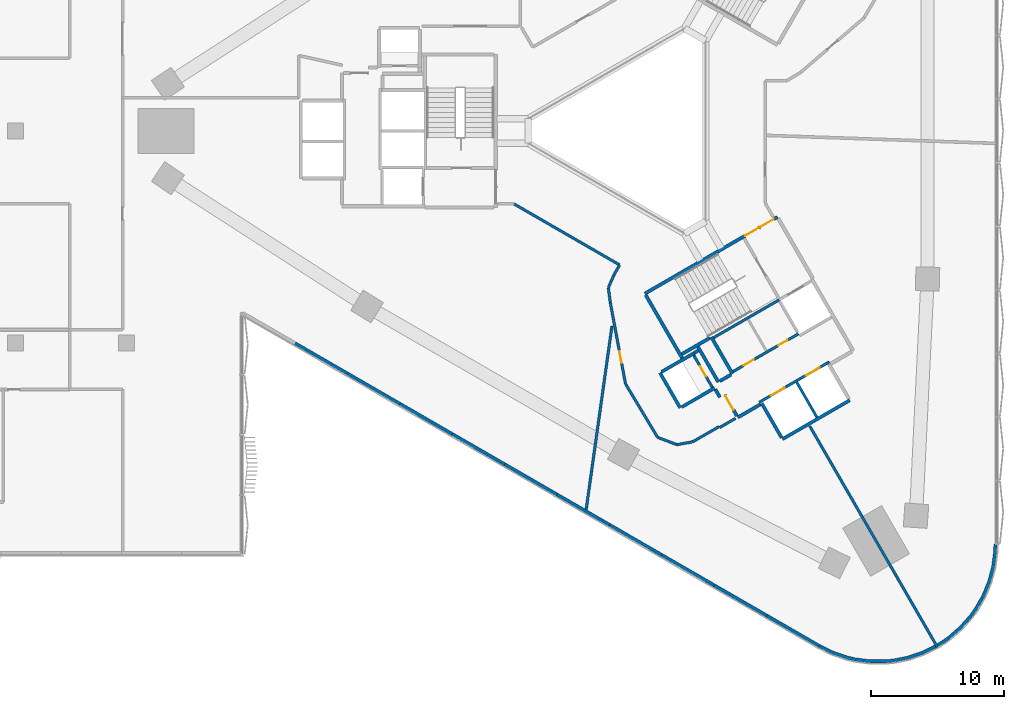
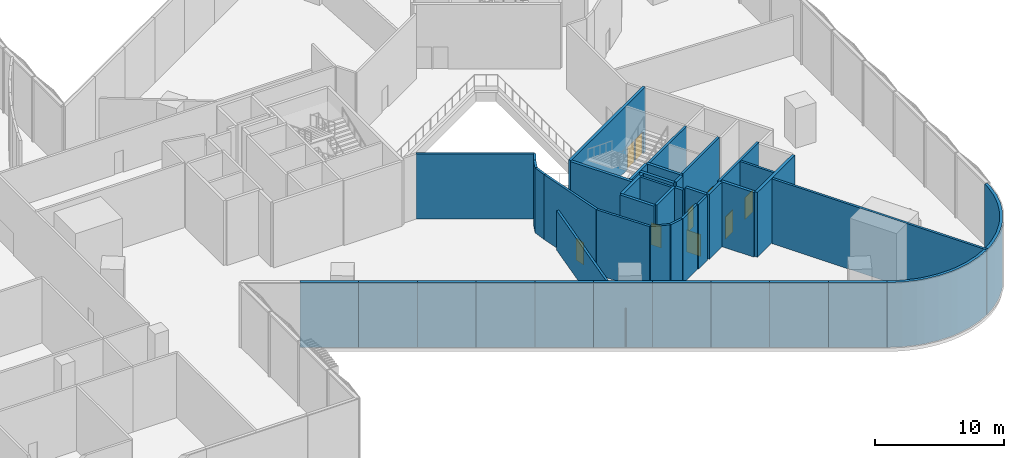
# One storey, part 14 of 32: 43 walls, 9 doors, 9 openings.
"""IFC4 building model written with IfcOpenShell, lengths in metres."""

from ifc_helpers import new_model, si_unit, direction, frame, frame_2d, origin, place, context, subcontext, project, spatial, polyline, rectangle, outline, extrude, material, layer, layer_set, type_object, element, fill, save


model = new_model("IFC4")

# Units and contexts
model_context = context("Model", 3, precision=1e-05, world=origin(), true_north=direction((0.0, 1.0)))
body_context = subcontext(model_context, "Body", "Model", "MODEL_VIEW")
ifc_project = project(units=[si_unit("LENGTHUNIT", "METRE"), si_unit("AREAUNIT", "SQUARE_METRE"), si_unit("VOLUMEUNIT", "CUBIC_METRE"), si_unit("PLANEANGLEUNIT", "RADIAN"), si_unit("MASSUNIT", "GRAM", prefix="KILO")], contexts=[model_context])

# Site, building, storey
site_placement = place(None, origin())
site = spatial("IfcSite", under=ifc_project, at=site_placement, CompositionType="ELEMENT")
building_placement = place(site_placement, origin())
building = spatial("IfcBuilding", under=site, at=building_placement, Name="Tamra Quay Hotel Tower", CompositionType="ELEMENT")
storey_placement = place(building_placement, frame((0.0, 0.0, 7.5)))
storey = spatial("IfcBuildingStorey", under=building, at=storey_placement, Name="L01", CompositionType="ELEMENT", Elevation=7.5)

# Wall, openings, doors
ifc_material_1 = material(Name="Concrete M70", Category="concrete")
ifc_layer_1 = layer(ifc_material_1, 0.199951171875)
ifc_layer_set_1 = layer_set([ifc_layer_1], Name="Concrete M70 core wall 200")
wall_type_1 = type_object("IfcWallType", Name="Concrete M70 core wall 200", PredefinedType="SHEAR", material=ifc_layer_set_1)
wall_1_placement = place(storey_placement, frame((9.052490234375, -20.479736328125, 0.0), z_axis=(0.0, 0.0, 1.0), x_axis=(0.866030299012, 0.499991521122, 0.0)))
wall_1 = element("IfcWall", 1, at=wall_1_placement, inside=storey, type_object=wall_type_1, Name="CW2", PredefinedType="SHEAR", context=body_context, shape_type="SweptSolid", body=[
    extrude(rectangle(XDim=6.10009765625, YDim=0.199951171875, at=frame_2d((3.050048828125, 0.0))), origin(), (0.0, 0.0, 1.0), 6.14990234375),
])
opening_1_placement = place(wall_1_placement, frame((1.0, 0.0, 0.0)))
opening_1 = element("IfcOpeningElement", 2, at=opening_1_placement, cuts=wall_1, Name="Opening LD", PredefinedType="OPENING", context=body_context, shape_type="SweptSolid", body=[
    extrude(rectangle(XDim=1.199951171875, YDim=2.10009765625, at=frame_2d((0.60009765625, 1.050048828125))), frame((0.0, 0.10986328125, 0.0), z_axis=(0.0, -1.0, 0.0), x_axis=(1.0, 0.0, 0.0)), (0.0, 0.0, 1.0), 0.219970703125),
])
opening_2_placement = place(wall_1_placement, frame((4.05029296875, 0.0, 0.0)))
opening_2 = element("IfcOpeningElement", 3, at=opening_2_placement, cuts=wall_1, Name="Opening LD", PredefinedType="OPENING", context=body_context, shape_type="SweptSolid", body=[
    extrude(rectangle(XDim=1.199951171875, YDim=2.10009765625, at=frame_2d((0.60009765625, 1.050048828125))), frame((0.0, 0.10986328125, 0.0), z_axis=(0.0, -1.0, 0.0), x_axis=(1.0, 0.0, 0.0)), (0.0, 0.0, 1.0), 0.219970703125),
])
ifc_material_2 = material(Name="Landing door LD 1200 double door sliding")
door_type_1 = type_object("IfcDoorType", Name="Landing door LD 1200 double door sliding", OperationType="DOUBLE_DOOR_SLIDING", PredefinedType="DOOR", material=ifc_material_2)
door_1_placement = place(opening_1_placement, origin())
door_1 = element("IfcDoor", 4, at=door_1_placement, inside=storey, type_object=door_type_1, Name="LD", OperationType="DOUBLE_DOOR_SLIDING", OverallHeight=2.10009765625, OverallWidth=1.199951171875, PredefinedType="DOOR", context=body_context, shape_type="SweptSolid", body=[
    extrude(rectangle(XDim=1.199951171875, YDim=2.10009765625, at=frame_2d((0.60009765625, 1.050048828125))), frame((0.0, 0.02490234375, 0.0), z_axis=(0.0, -1.0, 0.0), x_axis=(1.0, 0.0, 0.0)), (0.0, 0.0, 1.0), 0.050048828125),
])
fill(opening_1, door_1)
door_2_placement = place(opening_2_placement, origin())
door_2 = element("IfcDoor", 5, at=door_2_placement, inside=storey, type_object=door_type_1, Name="LD", OperationType="DOUBLE_DOOR_SLIDING", OverallHeight=2.10009765625, OverallWidth=1.199951171875, PredefinedType="DOOR", context=body_context, shape_type="SweptSolid", body=[
    extrude(rectangle(XDim=1.199951171875, YDim=2.10009765625, at=frame_2d((0.60009765625, 1.050048828125))), frame((0.0, 0.02490234375, 0.0), z_axis=(0.0, -1.0, 0.0), x_axis=(1.0, 0.0, 0.0)), (0.0, 0.0, 1.0), 0.050048828125),
])
fill(opening_2, door_2)

# Wall
wall_2_placement = place(storey_placement, frame((10.537841796875, -12.751953125, 0.0), z_axis=(0.0, 0.0, 1.0), x_axis=(-0.866038630372, -0.499977090179, 0.0)))
element("IfcWall", 6, at=wall_2_placement, inside=storey, type_object=wall_type_1, Name="CW2", PredefinedType="SHEAR", context=body_context, shape_type="SweptSolid", body=[
    extrude(rectangle(XDim=5.698974609375, YDim=0.199951171875, at=frame_2d((2.849609375, 0.0))), origin(), (0.0, 0.0, 1.0), 6.14990234375),
])

# Wall, openings, doors
wall_3_placement = place(storey_placement, frame((7.0771484375, -18.156005859375, 0.0), z_axis=(0.0, 0.0, 1.0), x_axis=(0.866038630372, 0.499977090179, 0.0)))
wall_3 = element("IfcWall", 7, at=wall_3_placement, inside=storey, type_object=wall_type_1, Name="CW2", PredefinedType="SHEAR", context=body_context, shape_type="SweptSolid", body=[
    extrude(rectangle(XDim=5.698974609375, YDim=0.199951171875, at=frame_2d((2.849609375, 0.0))), origin(), (0.0, 0.0, 1.0), 6.14990234375),
])
opening_3_placement = place(wall_3_placement, frame((0.89892578125, 0.0, 0.0)))
opening_3 = element("IfcOpeningElement", 8, at=opening_3_placement, cuts=wall_3, Name="Opening D2", PredefinedType="OPENING", context=body_context, shape_type="SweptSolid", body=[
    extrude(rectangle(XDim=0.89990234375, YDim=2.10009765625, at=frame_2d((0.449951171875, 1.050048828125))), frame((0.0, 0.10986328125, 0.0), z_axis=(0.0, -1.0, 0.0), x_axis=(1.0, 0.0, 0.0)), (0.0, 0.0, 1.0), 0.219970703125),
])
opening_4_placement = place(wall_3_placement, frame((3.924072265625, 0.0, 0.0)))
opening_4 = element("IfcOpeningElement", 9, at=opening_4_placement, cuts=wall_3, Name="Opening D3", PredefinedType="OPENING", context=body_context, shape_type="SweptSolid", body=[
    extrude(rectangle(XDim=0.800048828125, YDim=2.10009765625, at=frame_2d((0.39990234375, 1.050048828125))), frame((0.0, 0.10986328125, 0.0), z_axis=(0.0, -1.0, 0.0), x_axis=(1.0, 0.0, 0.0)), (0.0, 0.0, 1.0), 0.219970703125),
])
ifc_material_3 = material(Name="Core door D2 900x2100 RH")
door_type_2 = type_object("IfcDoorType", Name="Core door D2 900x2100 RH", OperationType="NOTDEFINED", PredefinedType="DOOR", material=ifc_material_3)
door_3_placement = place(opening_3_placement, origin())
door_3 = element("IfcDoor", 10, at=door_3_placement, inside=storey, type_object=door_type_2, Name="D2", OperationType="SINGLE_SWING_RIGHT", OverallHeight=2.10009765625, OverallWidth=0.89990234375, PredefinedType="DOOR", context=body_context, shape_type="SweptSolid", body=[
    extrude(rectangle(XDim=0.89990234375, YDim=2.10009765625, at=frame_2d((0.449951171875, 1.050048828125))), frame((0.0, 0.02490234375, 0.0), z_axis=(0.0, -1.0, 0.0), x_axis=(1.0, 0.0, 0.0)), (0.0, 0.0, 1.0), 0.050048828125),
])
fill(opening_3, door_3)
ifc_material_4 = material(Name="Core door D3 800x2100 LH")
door_type_3 = type_object("IfcDoorType", Name="Core door D3 800x2100 LH", OperationType="NOTDEFINED", PredefinedType="DOOR", material=ifc_material_4)
door_4_placement = place(opening_4_placement, origin())
door_4 = element("IfcDoor", 11, at=door_4_placement, inside=storey, type_object=door_type_3, Name="D3", OperationType="SINGLE_SWING_LEFT", OverallHeight=2.10009765625, OverallWidth=0.800048828125, PredefinedType="DOOR", context=body_context, shape_type="SweptSolid", body=[
    extrude(rectangle(XDim=0.800048828125, YDim=2.10009765625, at=frame_2d((0.39990234375, 1.050048828125))), frame((0.0, 0.02490234375, 0.0), z_axis=(0.0, -1.0, 0.0), x_axis=(1.0, 0.0, 0.0)), (0.0, 0.0, 1.0), 0.050048828125),
])
fill(opening_4, door_4)

# Wall
wall_4_placement = place(storey_placement, frame((11.87451171875, -18.967041015625, 0.0), z_axis=(0.0, 0.0, 1.0), x_axis=(0.49998131003, -0.866036194175, 0.0)))
element("IfcWall", 12, at=wall_4_placement, inside=storey, type_object=wall_type_1, Name="CW2", PredefinedType="SHEAR", context=body_context, shape_type="SweptSolid", body=[
    extrude(rectangle(XDim=3.0478515625, YDim=0.199951171875, at=frame_2d((1.52392578125, 0.0))), origin(), (0.0, 0.0, 1.0), 6.14990234375),
])

# Wall, opening, door
wall_5_placement = place(storey_placement, frame((5.50341796875, -19.352294921875, 0.0), z_axis=(0.0, 0.0, 1.0), x_axis=(-0.499986818241, 0.866033014143, 0.0)))
wall_5 = element("IfcWall", 13, at=wall_5_placement, inside=storey, type_object=wall_type_1, Name="CW2", PredefinedType="SHEAR", context=body_context, shape_type="SweptSolid", body=[
    extrude(rectangle(XDim=2.7978515625, YDim=0.199951171875, at=frame_2d((1.39892578125, 0.0))), origin(), (0.0, 0.0, 1.0), 6.14990234375),
])
opening_5_placement = place(wall_5_placement, frame((0.948974609375, 0.0, 0.0)))
opening_5 = element("IfcOpeningElement", 14, at=opening_5_placement, cuts=wall_5, Name="Opening D1", PredefinedType="OPENING", context=body_context, shape_type="SweptSolid", body=[
    extrude(rectangle(XDim=0.89990234375, YDim=2.10009765625, at=frame_2d((0.449951171875, 1.050048828125))), frame((0.0, 0.10986328125, 0.0), z_axis=(0.0, -1.0, 0.0), x_axis=(1.0, 0.0, 0.0)), (0.0, 0.0, 1.0), 0.219970703125),
])
ifc_material_5 = material(Name="Core door D1 900x2100 RH")
door_type_4 = type_object("IfcDoorType", Name="Core door D1 900x2100 RH", OperationType="NOTDEFINED", PredefinedType="DOOR", material=ifc_material_5)
door_5_placement = place(opening_5_placement, origin())
door_5 = element("IfcDoor", 15, at=door_5_placement, inside=storey, type_object=door_type_4, Name="D1", OperationType="SINGLE_SWING_RIGHT", OverallHeight=2.10009765625, OverallWidth=0.89990234375, PredefinedType="DOOR", context=body_context, shape_type="SweptSolid", body=[
    extrude(rectangle(XDim=0.89990234375, YDim=2.10009765625, at=frame_2d((0.449951171875, 1.050048828125))), frame((0.0, 0.02490234375, 0.0), z_axis=(0.0, -1.0, 0.0), x_axis=(1.0, 0.0, 0.0)), (0.0, 0.0, 1.0), 0.050048828125),
])
fill(opening_5, door_5)

# Wall, openings, doors
ifc_layer_2 = layer(ifc_material_1, 0.25)
ifc_layer_set_2 = layer_set([ifc_layer_2], Name="Concrete M70 core wall 250")
wall_type_2 = type_object("IfcWallType", Name="Concrete M70 core wall 250", PredefinedType="SHEAR", material=ifc_layer_set_2)
wall_6_placement = place(storey_placement, frame((0.417236328125, -12.27294921875, 0.0), z_axis=(0.0, 0.0, 1.0), x_axis=(0.866021906294, 0.500006057782, 0.0)))
wall_6 = element("IfcWall", 16, at=wall_6_placement, inside=storey, type_object=wall_type_2, Name="CW1", PredefinedType="SHEAR", context=body_context, shape_type="SweptSolid", body=[
    extrude(rectangle(XDim=11.550048828125, YDim=0.25, at=frame_2d((5.77490234375, 0.0))), origin(), (0.0, 0.0, 1.0), 6.14990234375),
])
opening_6_placement = place(wall_6_placement, frame((10.024658203125, 0.0, 0.0)))
opening_6 = element("IfcOpeningElement", 17, at=opening_6_placement, cuts=wall_6, Name="Opening FD1", PredefinedType="OPENING", context=body_context, shape_type="SweptSolid", body=[
    extrude(rectangle(XDim=1.199951171875, YDim=2.10009765625, at=frame_2d((0.60009765625, 1.050048828125))), frame((0.0, 0.135009765625, 0.0), z_axis=(0.0, -1.0, 0.0), x_axis=(1.0, 0.0, 0.0)), (0.0, 0.0, 1.0), 0.27001953125),
])
opening_7_placement = place(wall_6_placement, frame((8.724609375, 0.0, 0.0)))
opening_7 = element("IfcOpeningElement", 18, at=opening_7_placement, cuts=wall_6, Name="Opening FD1", PredefinedType="OPENING", context=body_context, shape_type="SweptSolid", body=[
    extrude(rectangle(XDim=1.199951171875, YDim=2.10009765625, at=frame_2d((0.60009765625, 1.050048828125))), frame((0.0, 0.135009765625, 0.0), z_axis=(0.0, -1.0, 0.0), x_axis=(1.0, 0.0, 0.0)), (0.0, 0.0, 1.0), 0.27001953125),
])
ifc_material_6 = material(Name="Core door FD1 1200x2100 LH")
door_type_5 = type_object("IfcDoorType", Name="Core door FD1 1200x2100 LH", OperationType="NOTDEFINED", PredefinedType="DOOR", material=ifc_material_6)
door_6_placement = place(opening_6_placement, origin())
door_6 = element("IfcDoor", 19, at=door_6_placement, inside=storey, type_object=door_type_5, Name="FD1", OperationType="SINGLE_SWING_LEFT", OverallHeight=2.10009765625, OverallWidth=1.199951171875, PredefinedType="DOOR", context=body_context, shape_type="SweptSolid", body=[
    extrude(rectangle(XDim=1.199951171875, YDim=2.10009765625, at=frame_2d((0.60009765625, 1.050048828125))), frame((0.0, 0.02490234375, 0.0), z_axis=(0.0, -1.0, 0.0), x_axis=(1.0, 0.0, 0.0)), (0.0, 0.0, 1.0), 0.050048828125),
])
fill(opening_6, door_6)
ifc_material_7 = material(Name="Core door FD1 1200x2100 RH")
door_type_6 = type_object("IfcDoorType", Name="Core door FD1 1200x2100 RH", OperationType="NOTDEFINED", PredefinedType="DOOR", material=ifc_material_7)
door_7_placement = place(opening_7_placement, origin())
door_7 = element("IfcDoor", 20, at=door_7_placement, inside=storey, type_object=door_type_6, Name="FD1", OperationType="SINGLE_SWING_RIGHT", OverallHeight=2.10009765625, OverallWidth=1.199951171875, PredefinedType="DOOR", context=body_context, shape_type="SweptSolid", body=[
    extrude(rectangle(XDim=1.199951171875, YDim=2.10009765625, at=frame_2d((0.60009765625, 1.050048828125))), frame((0.0, 0.02490234375, 0.0), z_axis=(0.0, -1.0, 0.0), x_axis=(1.0, 0.0, 0.0)), (0.0, 0.0, 1.0), 0.050048828125),
])
fill(opening_7, door_7)

# Walls
wall_7_placement = place(storey_placement, frame((15.86474609375, -20.328369140625, 0.0), z_axis=(0.0, 0.0, 1.0), x_axis=(-0.86602852612, -0.499994591916, 0.0)))
element("IfcWall", 21, at=wall_7_placement, inside=storey, type_object=wall_type_2, Name="CW1", PredefinedType="SHEAR", context=body_context, shape_type="SweptSolid", body=[
    extrude(rectangle(XDim=5.85009765625, YDim=0.25, at=frame_2d((2.925048828125, 0.0))), origin(), (0.0, 0.0, 1.0), 6.14990234375),
])
wall_8_placement = place(storey_placement, frame((3.23486328125, -17.15283203125, 0.0), z_axis=(0.0, 0.0, 1.0), x_axis=(-0.500008851346, 0.866020293397, 0.0)))
element("IfcWall", 22, at=wall_8_placement, inside=storey, type_object=wall_type_2, Name="CW1", PredefinedType="SHEAR", context=body_context, shape_type="SweptSolid", body=[
    extrude(rectangle(XDim=5.509765625, YDim=0.25, at=frame_2d((2.7548828125, 0.0))), origin(), (0.0, 0.0, 1.0), 6.14990234375),
])
wall_9_placement = place(storey_placement, frame((7.030517578125, -18.327392578125, 0.0), z_axis=(0.0, 0.0, 1.0), x_axis=(-0.499971222258, 0.866042017984, 0.0)))
element("IfcWall", 23, at=wall_9_placement, inside=storey, type_object=wall_type_2, Name="CW1", PredefinedType="SHEAR", context=body_context, shape_type="SweptSolid", body=[
    extrude(rectangle(XDim=3.199951171875, YDim=0.25, at=frame_2d((1.60009765625, 0.0))), origin(), (0.0, 0.0, 1.0), 6.14990234375),
])
wall_10_placement = place(storey_placement, frame((10.73583984375, -23.144775390625, 0.0), z_axis=(0.0, 0.0, 1.0), x_axis=(-0.500023226632, 0.866011993467, 0.0)))
element("IfcWall", 24, at=wall_10_placement, inside=storey, type_object=wall_type_2, Name="CW1", PredefinedType="SHEAR", context=body_context, shape_type="SweptSolid", body=[
    extrude(rectangle(XDim=2.974365234375, YDim=0.25, at=frame_2d((1.4873046875, 0.0))), origin(), (0.0, 0.0, 1.0), 6.14990234375),
])
wall_11_placement = place(storey_placement, frame((3.085205078125, -20.893798828125, 0.0), z_axis=(0.0, 0.0, 1.0), x_axis=(-0.499978833458, 0.866037623948, 0.0)))
element("IfcWall", 25, at=wall_11_placement, inside=storey, type_object=wall_type_2, Name="CW1", PredefinedType="SHEAR", context=body_context, shape_type="SweptSolid", body=[
    extrude(rectangle(XDim=3.050048828125, YDim=0.25, at=frame_2d((1.52490234375, 0.0))), origin(), (0.0, 0.0, 1.0), 6.14990234375),
])
wall_12_placement = place(storey_placement, frame((1.6689453125, -18.189697265625, 0.0), z_axis=(0.0, 0.0, 1.0), x_axis=(0.866042235819, 0.499970844928, 0.0)))
element("IfcWall", 26, at=wall_12_placement, inside=storey, type_object=wall_type_2, Name="CW1", PredefinedType="SHEAR", context=body_context, shape_type="SweptSolid", body=[
    extrude(rectangle(XDim=2.864501953125, YDim=0.25, at=frame_2d((1.43212890625, 0.0))), origin(), (0.0, 0.0, 1.0), 6.14990234375),
])
wall_13_placement = place(storey_placement, frame((5.6748046875, -19.39892578125, 0.0), z_axis=(0.0, 0.0, 1.0), x_axis=(-0.866026637627, -0.499997862916, 0.0)))
element("IfcWall", 27, at=wall_13_placement, inside=storey, type_object=wall_type_2, Name="CW1", PredefinedType="SHEAR", context=body_context, shape_type="SweptSolid", body=[
    extrude(rectangle(XDim=2.86474609375, YDim=0.25, at=frame_2d((1.432373046875, 0.0))), origin(), (0.0, 0.0, 1.0), 6.14990234375),
])
wall_14_placement = place(storey_placement, frame((4.414306640625, -16.275634765625, 0.0), z_axis=(0.0, 0.0, 1.0), x_axis=(0.500003324108, -0.866023484601, 0.0)))
element("IfcWall", 28, at=wall_14_placement, inside=storey, type_object=wall_type_2, Name="CW1", PredefinedType="SHEAR", context=body_context, shape_type="SweptSolid", body=[
    extrude(rectangle(XDim=3.0849609375, YDim=0.25, at=frame_2d((1.54248046875, 0.0))), origin(), (0.0, 0.0, 1.0), 6.14990234375),
])
wall_15_placement = place(storey_placement, frame((5.322021484375, -15.618896484375, 0.0), z_axis=(0.0, 0.0, 1.0), x_axis=(-0.866026229868, -0.499998569178, 0.0)))
element("IfcWall", 29, at=wall_15_placement, inside=storey, type_object=wall_type_2, Name="CW1", PredefinedType="SHEAR", context=body_context, shape_type="SweptSolid", body=[
    extrude(rectangle(XDim=2.44921875, YDim=0.25, at=frame_2d((1.224609375, 0.0))), origin(), (0.0, 0.0, 1.0), 6.14990234375),
])
wall_16_placement = place(storey_placement, frame((9.139892578125, -20.63134765625, 0.0), z_axis=(0.0, 0.0, 1.0), x_axis=(-0.866043531843, -0.499968599967, 0.0)))
element("IfcWall", 30, at=wall_16_placement, inside=storey, type_object=wall_type_2, Name="CW1", PredefinedType="SHEAR", context=body_context, shape_type="SweptSolid", body=[
    extrude(rectangle(XDim=1.974853515625, YDim=0.25, at=frame_2d((0.9873046875, 0.0))), origin(), (0.0, 0.0, 1.0), 6.14990234375),
])

# Wall, opening, door
wall_17_placement = place(storey_placement, frame((7.3671875, -21.51025390625, 0.0), z_axis=(0.0, 0.0, 1.0), x_axis=(-0.499983108224, 0.866035156036, 0.0)))
wall_17 = element("IfcWall", 31, at=wall_17_placement, inside=storey, type_object=wall_type_2, Name="CW1", PredefinedType="SHEAR", context=body_context, shape_type="SweptSolid", body=[
    extrude(rectangle(XDim=1.86474609375, YDim=0.25, at=frame_2d((0.932373046875, 0.0))), origin(), (0.0, 0.0, 1.0), 6.14990234375),
])
opening_8_placement = place(wall_17_placement, frame((0.53466796875, 0.0, 0.0)))
opening_8 = element("IfcOpeningElement", 32, at=opening_8_placement, cuts=wall_17, Name="Opening FD3", PredefinedType="OPENING", context=body_context, shape_type="SweptSolid", body=[
    extrude(rectangle(XDim=1.25, YDim=2.10009765625, at=frame_2d((0.625, 1.050048828125))), frame((0.0, 0.135009765625, 0.0), z_axis=(0.0, -1.0, 0.0), x_axis=(1.0, 0.0, 0.0)), (0.0, 0.0, 1.0), 0.27001953125),
])
ifc_material_8 = material(Name="Core door FD3 1250x2100 LH")
door_type_7 = type_object("IfcDoorType", Name="Core door FD3 1250x2100 LH", OperationType="NOTDEFINED", PredefinedType="DOOR", material=ifc_material_8)
door_8_placement = place(opening_8_placement, origin())
door_8 = element("IfcDoor", 33, at=door_8_placement, inside=storey, type_object=door_type_7, Name="FD3", OperationType="SINGLE_SWING_LEFT", OverallHeight=2.10009765625, OverallWidth=1.25, PredefinedType="DOOR", context=body_context, shape_type="SweptSolid", body=[
    extrude(rectangle(XDim=1.25, YDim=2.10009765625, at=frame_2d((0.625, 1.050048828125))), frame((0.0, 0.02490234375, 0.0), z_axis=(0.0, -1.0, 0.0), x_axis=(1.0, 0.0, 0.0)), (0.0, 0.0, 1.0), 0.050048828125),
])
fill(opening_8, door_8)

# Walls
wall_18_placement = place(storey_placement, frame((6.0654296875, -18.884765625, 0.0), z_axis=(0.0, 0.0, 1.0), x_axis=(0.866017078145, 0.500014420154, 0.0)))
element("IfcWall", 34, at=wall_18_placement, inside=storey, type_object=wall_type_2, Name="CW1", PredefinedType="SHEAR", context=body_context, shape_type="SweptSolid", body=[
    extrude(rectangle(XDim=0.9892578125, YDim=0.25, at=frame_2d((0.49462890625, 0.0))), origin(), (0.0, 0.0, 1.0), 6.14990234375),
])
wall_19_placement = place(storey_placement, frame((6.07958984375, -20.100341796875, 0.0), z_axis=(0.0, 0.0, 1.0), x_axis=(-0.500051773299, 0.865995510393, 0.0)))
element("IfcWall", 35, at=wall_19_placement, inside=storey, type_object=wall_type_2, Name="CW1", PredefinedType="SHEAR", context=body_context, shape_type="SweptSolid", body=[
    extrude(rectangle(XDim=0.6845703125, YDim=0.25, at=frame_2d((0.34228515625, 0.0))), origin(), (0.0, 0.0, 1.0), 6.14990234375),
])
wall_20_placement = place(storey_placement, frame((4.144775390625, -16.748779296875, 0.0), z_axis=(0.0, 0.0, 1.0), x_axis=(0.866185586049, 0.49972245349, 0.0)))
element("IfcWall", 36, at=wall_20_placement, inside=storey, type_object=wall_type_2, Name="CW1", PredefinedType="SHEAR", context=body_context, shape_type="SweptSolid", body=[
    extrude(rectangle(XDim=0.344482421875, YDim=0.25, at=frame_2d((0.17236328125, 0.0))), origin(), (0.0, 0.0, 1.0), 6.14990234375),
])
ifc_material_9 = material(Name="Blockwork masonry plastered", Category="masonry")
ifc_layer_3 = layer(ifc_material_9, 0.25)
ifc_layer_set_3 = layer_set([ifc_layer_3], Name="EXTERNAL WALL 250")
wall_type_3 = type_object("IfcWallType", Name="EXTERNAL WALL 250", PredefinedType="SOLIDWALL", material=ifc_layer_set_3)
wall_21_placement = place(storey_placement, frame((-22.0283203125, -18.314453125, 0.0), z_axis=(0.0, 0.0, 1.0), x_axis=(-0.866023543838, 0.500003221507, 0.0)))
element("IfcWall", 37, at=wall_21_placement, inside=storey, type_object=wall_type_3, Name="EW1", PredefinedType="SOLIDWALL", context=body_context, shape_type="SweptSolid", body=[
    extrude(rectangle(XDim=4.56640625, YDim=0.25, at=frame_2d((2.283203125, 0.0))), origin(), (0.0, 0.0, 1.0), 6.14990234375),
])
wall_22_placement = place(storey_placement, frame((-18.073974609375, -20.59765625, 0.0), z_axis=(0.0, 0.0, 1.0), x_axis=(-0.866010176527, 0.500026373457, 0.0)))
element("IfcWall", 38, at=wall_22_placement, inside=storey, type_object=wall_type_3, Name="EW1", PredefinedType="SOLIDWALL", context=body_context, shape_type="SweptSolid", body=[
    extrude(rectangle(XDim=4.566162109375, YDim=0.25, at=frame_2d((2.283203125, 0.0))), origin(), (0.0, 0.0, 1.0), 6.14990234375),
])
for number, where, z_axis, x_axis, name in (
    (39, (-14.119384765625, -22.880859375, 0.0), (0.0, 0.0, 1.0), (-0.866023543838, 0.500003221507, 0.0), "EW1"),
    (40, (-10.164794921875, -25.1640625, 0.0), (0.0, 0.0, 1.0), (-0.866023543838, 0.500003221507, 0.0), "EW1"),
):
    element("IfcWall", number, at=place(storey_placement, frame(where, z_axis=z_axis, x_axis=x_axis)), inside=storey, type_object=wall_type_3, Name=name, PredefinedType="SOLIDWALL", context=body_context, shape_type="SweptSolid", body=[
        extrude(rectangle(XDim=4.56640625, YDim=0.25, at=frame_2d((2.283203125, 0.0))), origin(), (0.0, 0.0, 1.0), 6.14990234375),
    ])
wall_23_placement = place(storey_placement, frame((-6.210205078125, -27.447021484375, 0.0), z_axis=(0.0, 0.0, 1.0), x_axis=(-0.866046694585, 0.499963121439, 0.0)))
element("IfcWall", 41, at=wall_23_placement, inside=storey, type_object=wall_type_3, Name="EW1", PredefinedType="SOLIDWALL", context=body_context, shape_type="SweptSolid", body=[
    extrude(rectangle(XDim=4.566162109375, YDim=0.25, at=frame_2d((2.283203125, 0.0))), origin(), (0.0, 0.0, 1.0), 6.14990234375),
])
for number, where, z_axis, x_axis, name in (
    (42, (-2.255615234375, -29.730224609375, 0.0), (0.0, 0.0, 1.0), (-0.866023543838, 0.500003221507, 0.0), "EW1"),
    (43, (1.698974609375, -32.013427734375, 0.0), (0.0, 0.0, 1.0), (-0.866023543838, 0.500003221507, 0.0), "EW1"),
):
    element("IfcWall", number, at=place(storey_placement, frame(where, z_axis=z_axis, x_axis=x_axis)), inside=storey, type_object=wall_type_3, Name=name, PredefinedType="SOLIDWALL", context=body_context, shape_type="SweptSolid", body=[
        extrude(rectangle(XDim=4.56640625, YDim=0.25, at=frame_2d((2.283203125, 0.0))), origin(), (0.0, 0.0, 1.0), 6.14990234375),
    ])
wall_24_placement = place(storey_placement, frame((5.6533203125, -34.296630859375, 0.0), z_axis=(0.0, 0.0, 1.0), x_axis=(-0.866010176527, 0.500026373457, 0.0)))
element("IfcWall", 44, at=wall_24_placement, inside=storey, type_object=wall_type_3, Name="EW1", PredefinedType="SOLIDWALL", context=body_context, shape_type="SweptSolid", body=[
    extrude(rectangle(XDim=4.566162109375, YDim=0.25, at=frame_2d((2.283203125, 0.0))), origin(), (0.0, 0.0, 1.0), 6.14990234375),
])
wall_25_placement = place(storey_placement, frame((9.60791015625, -36.579833984375, 0.0), z_axis=(0.0, 0.0, 1.0), x_axis=(-0.866023543838, 0.500003221507, 0.0)))
element("IfcWall", 45, at=wall_25_placement, inside=storey, type_object=wall_type_3, Name="EW1", PredefinedType="SOLIDWALL", context=body_context, shape_type="SweptSolid", body=[
    extrude(rectangle(XDim=4.56640625, YDim=0.25, at=frame_2d((2.283203125, 0.0))), origin(), (0.0, 0.0, 1.0), 6.14990234375),
])
wall_26_placement = place(storey_placement, frame((13.5625, -38.86279296875, 0.0), z_axis=(0.0, 0.0, 1.0), x_axis=(-0.866046694585, 0.499963121439, 0.0)))
element("IfcWall", 46, at=wall_26_placement, inside=storey, type_object=wall_type_3, Name="EW1", PredefinedType="SOLIDWALL", context=body_context, shape_type="SweptSolid", body=[
    extrude(rectangle(XDim=4.566162109375, YDim=0.25, at=frame_2d((2.283203125, 0.0))), origin(), (0.0, 0.0, 1.0), 6.14990234375),
])
wall_27_placement = place(storey_placement, origin())
element("IfcWall", 47, at=wall_27_placement, inside=storey, type_object=wall_type_3, Name="EW1", PredefinedType="SOLIDWALL", context=body_context, shape_type="SweptSolid", body=[
    extrude(outline(polyline([(13.5, -38.97119140625), (14.555908203125, -39.491943359375), (15.670654296875, -39.870361328125), (16.244140625, -40.00390625), (17.411376953125, -40.15771484375), (18.588623046875, -40.15771484375), (19.1748046875, -40.099853515625), (20.329345703125, -39.870361328125), (21.444091796875, -39.491943359375), (22.5, -38.97119140625), (23.000244140625, -38.66015625), (23.478759765625, -38.317138671875), (24.364013671875, -37.540771484375), (25.14013671875, -36.65576171875), (25.483154296875, -36.177001953125), (26.07177734375, -35.157470703125), (26.5224609375, -34.06982421875), (26.8271484375, -32.9326171875), (26.980712890625, -31.765625), (27.0, -31.177001953125), (26.750244140625, -31.168701171875), (26.731201171875, -31.7451171875), (26.581298828125, -32.8837890625), (26.28515625, -33.9892578125), (25.84716796875, -35.046630859375), (25.27294921875, -36.04150390625), (24.944091796875, -36.500244140625), (24.186767578125, -37.36376953125), (23.3232421875, -38.12109375), (22.861083984375, -38.4521484375), (22.37841796875, -38.75244140625), (21.348388671875, -39.26025390625), (20.2646484375, -39.628173828125), (19.137939453125, -39.852294921875), (18.576416015625, -39.90771484375), (17.427734375, -39.90771484375), (16.2890625, -39.7578125), (15.7392578125, -39.629638671875), (14.651611328125, -39.26025390625), (13.610595703125, -38.746826171875), (13.5, -38.97119140625)])), origin(), (0.0, 0.0, 1.0), 6.14990234375),
])
ifc_material_10 = material(Name="Partition corridor wall")
ifc_layer_4 = layer(ifc_material_10, 0.199951171875)
ifc_layer_set_4 = layer_set([ifc_layer_4], Name="Partition corridor wall")
wall_type_4 = type_object("IfcWallType", Name="Partition corridor wall", PredefinedType="PARTITIONING", material=ifc_layer_set_4)
wall_28_placement = place(storey_placement, frame((-9.4619140625, -5.507080078125, 0.0), z_axis=(0.0, 0.0, 1.0), x_axis=(0.865993634668, -0.500055021687, 0.0)))
element("IfcWall", 48, at=wall_28_placement, inside=storey, type_object=wall_type_4, Name="W-C", PredefinedType="PARTITIONING", context=body_context, shape_type="SweptSolid", body=[
    extrude(rectangle(XDim=9.19287109375, YDim=0.199951171875, at=frame_2d((4.596435546875, 0.0))), origin(), (0.0, 0.0, 1.0), 6.14990234375),
])
wall_29_placement = place(storey_placement, frame((-2.342041015625, -11.8359375, 0.0), z_axis=(0.0, 0.0, 1.0), x_axis=(0.130946383531, -0.991389451548, 0.0)))
element("IfcWall", 49, at=wall_29_placement, inside=storey, type_object=wall_type_4, Name="W-C", PredefinedType="PARTITIONING", context=body_context, shape_type="SweptSolid", body=[
    extrude(rectangle(XDim=1.1298828125, YDim=0.199951171875, at=frame_2d((0.56494140625, 0.0))), origin(), (0.0, 0.0, 1.0), 6.14990234375),
])
wall_30_placement = place(storey_placement, frame((-2.340087890625, -11.825927734375, 0.0), z_axis=(0.0, 0.0, 1.0), x_axis=(0.40001633318, 0.916508010434, 0.0)))
element("IfcWall", 50, at=wall_30_placement, inside=storey, type_object=wall_type_4, Name="W-C", PredefinedType="PARTITIONING", context=body_context, shape_type="SweptSolid", body=[
    extrude(rectangle(XDim=1.03759765625, YDim=0.199951171875, at=frame_2d((0.518798828125, 0.0))), origin(), (0.0, 0.0, 1.0), 6.14990234375),
])

# Wall, opening, door
wall_31_placement = place(storey_placement, frame((-2.194091796875, -12.9560546875, 0.0), z_axis=(0.0, 0.0, 1.0), x_axis=(0.183765348318, -0.982970140318, 0.0)))
wall_31 = element("IfcWall", 51, at=wall_31_placement, inside=storey, type_object=wall_type_4, Name="W-C", PredefinedType="PARTITIONING", context=body_context, shape_type="SweptSolid", body=[
    extrude(rectangle(XDim=6.226806640625, YDim=0.199951171875, at=frame_2d((3.11328125, 0.0))), origin(), (0.0, 0.0, 1.0), 6.14990234375),
])
opening_9_placement = place(wall_31_placement, frame((3.75048828125, 0.0, 0.0)))
opening_9 = element("IfcOpeningElement", 52, at=opening_9_placement, cuts=wall_31, Name="Opening L01-D020", PredefinedType="OPENING", context=body_context, shape_type="SweptSolid", body=[
    extrude(rectangle(XDim=0.89990234375, YDim=2.10009765625, at=frame_2d((0.449951171875, 1.050048828125))), frame((0.0, 0.10986328125, 0.0), z_axis=(0.0, -1.0, 0.0), x_axis=(1.0, 0.0, 0.0)), (0.0, 0.0, 1.0), 0.219970703125),
])
ifc_material_11 = material(Name="Door service room 900x2100")
door_type_8 = type_object("IfcDoorType", Name="Door service room 900x2100", OperationType="NOTDEFINED", PredefinedType="DOOR", material=ifc_material_11)
door_9_placement = place(opening_9_placement, origin())
door_9 = element("IfcDoor", 53, at=door_9_placement, inside=storey, type_object=door_type_8, Name="L01-D020", OperationType="SINGLE_SWING_LEFT", OverallHeight=2.10009765625, OverallWidth=0.89990234375, PredefinedType="DOOR", context=body_context, shape_type="SweptSolid", body=[
    extrude(rectangle(XDim=0.89990234375, YDim=2.10009765625, at=frame_2d((0.449951171875, 1.050048828125))), frame((0.0, 0.02490234375, 0.0), z_axis=(0.0, -1.0, 0.0), x_axis=(1.0, 0.0, 0.0)), (0.0, 0.0, 1.0), 0.050048828125),
])
fill(opening_9, door_9)

# Walls
wall_32_placement = place(storey_placement, frame((-1.924072265625, -10.867919921875, 0.0), z_axis=(0.0, 0.0, 1.0), x_axis=(0.499796667154, 0.866142766235, 0.0)))
element("IfcWall", 54, at=wall_32_placement, inside=storey, type_object=wall_type_4, Name="W-C", PredefinedType="PARTITIONING", context=body_context, shape_type="SweptSolid", body=[
    extrude(rectangle(XDim=0.854248046875, YDim=0.199951171875, at=frame_2d((0.42724609375, 0.0))), origin(), (0.0, 0.0, 1.0), 6.14990234375),
])
wall_33_placement = place(storey_placement, frame((-1.044921875, -19.087890625, 0.0), z_axis=(0.0, 0.0, 1.0), x_axis=(0.51489213726, -0.857254971982, 0.0)))
element("IfcWall", 55, at=wall_33_placement, inside=storey, type_object=wall_type_4, Name="W-C", PredefinedType="PARTITIONING", context=body_context, shape_type="SweptSolid", body=[
    extrude(rectangle(XDim=4.709228515625, YDim=0.199951171875, at=frame_2d((2.3544921875, 0.0))), origin(), (0.0, 0.0, 1.0), 6.14990234375),
])
wall_34_placement = place(storey_placement, frame((1.39404296875, -23.133056640625, 0.0), z_axis=(0.0, 0.0, 1.0), x_axis=(0.935740267615, -0.352689880154, 0.0)))
element("IfcWall", 56, at=wall_34_placement, inside=storey, type_object=wall_type_4, Name="W-C", PredefinedType="PARTITIONING", context=body_context, shape_type="SweptSolid", body=[
    extrude(rectangle(XDim=1.53662109375, YDim=0.199951171875, at=frame_2d((0.768310546875, 0.0))), origin(), (0.0, 0.0, 1.0), 6.14990234375),
])
wall_35_placement = place(storey_placement, frame((2.839111328125, -23.675048828125, 0.0), z_axis=(0.0, 0.0, 1.0), x_axis=(0.983781026783, 0.179373608267, 0.0)))
element("IfcWall", 57, at=wall_35_placement, inside=storey, type_object=wall_type_4, Name="W-C", PredefinedType="PARTITIONING", context=body_context, shape_type="SweptSolid", body=[
    extrude(rectangle(XDim=1.188232421875, YDim=0.199951171875, at=frame_2d((0.59423828125, 0.0))), origin(), (0.0, 0.0, 1.0), 6.14990234375),
])
wall_36_placement = place(storey_placement, frame((4.02197265625, -23.4580078125, 0.0), z_axis=(0.0, 0.0, 1.0), x_axis=(0.867589037082, 0.49728187453, 0.0)))
element("IfcWall", 58, at=wall_36_placement, inside=storey, type_object=wall_type_4, Name="W-C", PredefinedType="PARTITIONING", context=body_context, shape_type="SweptSolid", body=[
    extrude(rectangle(XDim=2.276611328125, YDim=0.199951171875, at=frame_2d((1.13818359375, 0.0))), origin(), (0.0, 0.0, 1.0), 6.14990234375),
])
wall_37_placement = place(storey_placement, frame((6.056884765625, -22.384033203125, 0.0), z_axis=(0.0, 0.0, 1.0), x_axis=(0.866100566266, 0.499869792159, 0.0)))
element("IfcWall", 59, at=wall_37_placement, inside=storey, type_object=wall_type_4, Name="W-C", PredefinedType="PARTITIONING", context=body_context, shape_type="SweptSolid", body=[
    extrude(rectangle(XDim=1.386474609375, YDim=0.199951171875, at=frame_2d((0.693359375, 0.0))), origin(), (0.0, 0.0, 1.0), 6.14990234375),
])
ifc_material_12 = material(Name="Partition party wall")
ifc_layer_5 = layer(ifc_material_12, 0.199951171875)
ifc_layer_set_5 = layer_set([ifc_layer_5], Name="Partition party wall")
wall_type_5 = type_object("IfcWallType", Name="Partition party wall", PredefinedType="PARTITIONING", material=ifc_layer_set_5)
wall_38_placement = place(storey_placement, frame((-4.05224609375, -28.83203125, 0.0), z_axis=(0.0, 0.0, 1.0), x_axis=(0.139178988917, 0.990267241225, 0.0)))
element("IfcWall", 60, at=wall_38_placement, inside=storey, type_object=wall_type_5, Name="W-P", PredefinedType="PARTITIONING", context=body_context, shape_type="SweptSolid", body=[
    extrude(rectangle(XDim=14.254150390625, YDim=0.199951171875, at=frame_2d((7.126953125, 0.0))), origin(), (0.0, 0.0, 1.0), 3.75),
])
wall_39_placement = place(storey_placement, frame((12.861083984375, -22.276123046875, 0.0), z_axis=(0.0, 0.0, 1.0), x_axis=(0.499989278408, -0.86603159381, 0.0)))
element("IfcWall", 61, at=wall_39_placement, inside=storey, type_object=wall_type_5, Name="W-P", PredefinedType="PARTITIONING", context=body_context, shape_type="SweptSolid", body=[
    extrude(rectangle(XDim=19.27294921875, YDim=0.199951171875, at=frame_2d((9.636474609375, 0.0))), origin(), (0.0, 0.0, 1.0), 6.14990234375),
])

save(model, "model.ifc")
